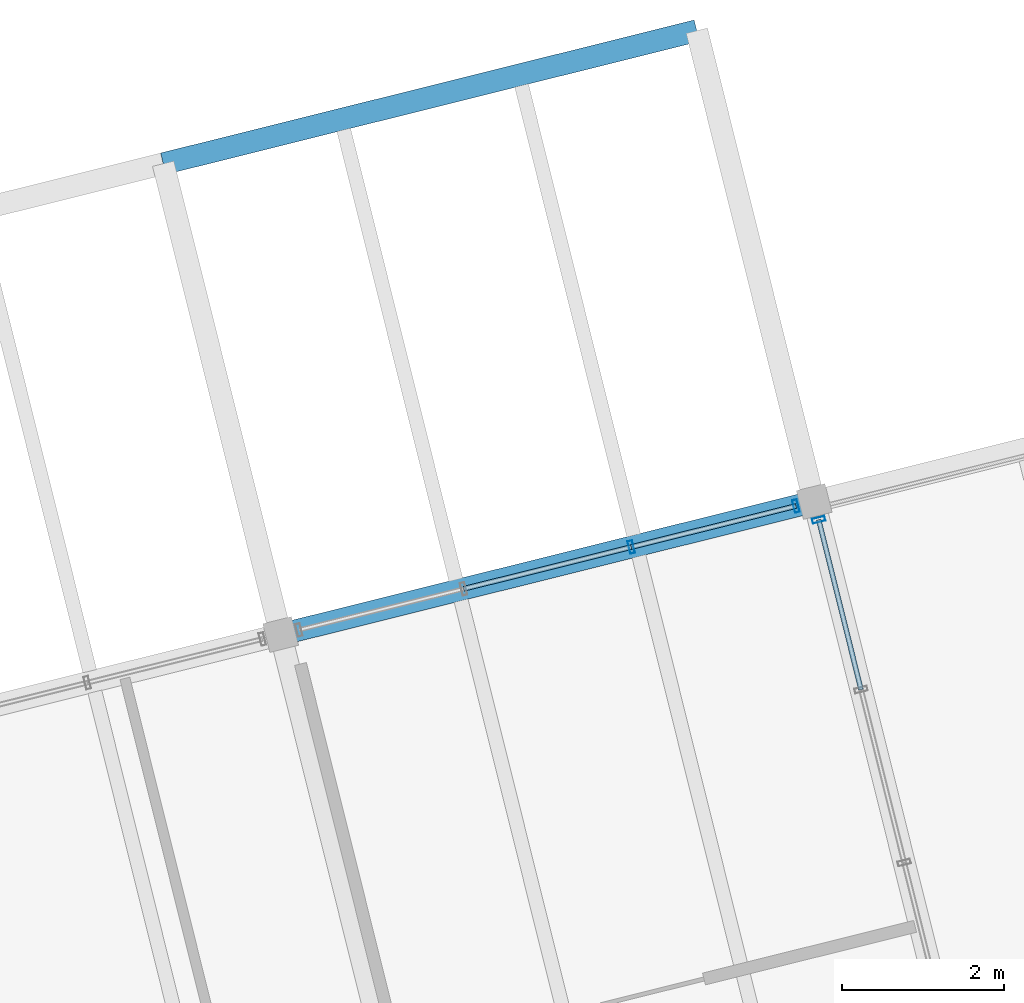
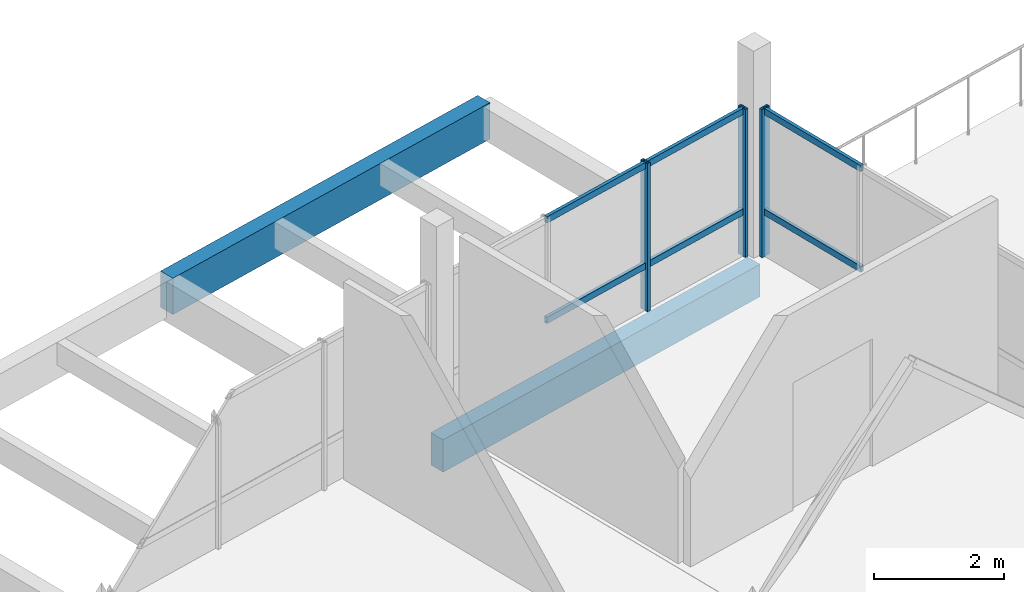
# One storey, part 22 of 28: 9 members, 2 beams, 2 elements without a shape of their own.
"""IFC4 building model written with IfcOpenShell, lengths in metres."""

from ifc_helpers import new_model, si_unit, direction, frame, origin, origin_2d, place, context, subcontext, project, spatial, rectangle, hollow_rectangle, extrude, material, layer, layer_set, material_profile, profile_set, type_object, element, aggregate, save


model = new_model("IFC4")

# Units and contexts
model_context = context("Model", 3, precision=1e-05, world=origin(), true_north=direction((0.0, 1.0)))
body_context = subcontext(model_context, "Body", "Model", "MODEL_VIEW")
ifc_project = project(units=[si_unit("LENGTHUNIT", "METRE"), si_unit("AREAUNIT", "SQUARE_METRE"), si_unit("VOLUMEUNIT", "CUBIC_METRE"), si_unit("PLANEANGLEUNIT", "RADIAN"), si_unit("MASSUNIT", "GRAM", prefix="KILO")], contexts=[model_context])

# Site, building, storey
site_placement = place(None, origin())
site = spatial("IfcSite", under=ifc_project, at=site_placement, CompositionType="ELEMENT")
building_placement = place(site_placement, origin())
building = spatial("IfcBuilding", under=site, at=building_placement, Name="Meriwether Solvik Hall", CompositionType="ELEMENT")
storey_placement = place(building_placement, frame((0.0, 0.0, 45.60009765625)))
storey = spatial("IfcBuildingStorey", under=building, at=storey_placement, Name="L11", CompositionType="ELEMENT", Elevation=45.60009765625)

# Beams
ifc_material_1 = material(Name="Glulam Douglas-Fir 24F-V8 GL28h", Category="wood")
ifc_material_profile_1 = material_profile(ifc_material_1, rectangle(XDim=0.27294921875, YDim=0.610107421875, at=origin_2d()), Name="GLB-273X610")
ifc_profile_set_1 = profile_set([ifc_material_profile_1], Name="Glulam Douglas-Fir 24F-V8 GL28h")
beam_type_1 = type_object("IfcBeamType", Name="BM-GL-273X610", PredefinedType="SPANDREL", material=ifc_profile_set_1)
beam_1_placement = place(storey_placement, frame((90.158935546875, 75.432373046875, -0.525146484375), z_axis=(0.970296478685, 0.241918877831, 0.0), x_axis=(-0.241918877831, 0.970296478685, 0.0)))
element("IfcBeam", 1, at=beam_1_placement, inside=storey, type_object=beam_type_1, Name="Tower Girder TE:T5-T6 (L11)", PredefinedType="SPANDREL", context=body_context, shape_type="SweptSolid", body=[
    extrude(rectangle(XDim=0.27294921875, YDim=0.610107421875, at=origin_2d()), origin(), (0.0, 0.0, 1.0), 6.7998046875),
])
ifc_material_2 = material(Name="Glulam Douglas-Fir 24F-V8 GL28h", Category="wood")
ifc_material_profile_2 = material_profile(ifc_material_2, rectangle(XDim=0.27294921875, YDim=0.68505859375, at=origin_2d()), Name="GLB-273X685")
ifc_profile_set_2 = profile_set([ifc_material_profile_2], Name="Glulam Douglas-Fir 24F-V8 GL28h")
beam_type_2 = type_object("IfcBeamType", Name="BM-GL-273X685", PredefinedType="BEAM", material=ifc_profile_set_2)
beam_2_placement = place(storey_placement, frame((88.707275390625, 81.254150390625, -0.54248046875), z_axis=(0.970298579828, 0.24191045034, 0.0), x_axis=(-0.24191045034, 0.970298579828, 0.0)))
element("IfcBeam", 2, at=beam_2_placement, inside=storey, type_object=beam_type_2, Name="Tower Girder TF:T5-T6 (L11)", PredefinedType="BEAM", context=body_context, shape_type="SweptSolid", body=[
    extrude(rectangle(XDim=0.27294921875, YDim=0.68505859375, at=origin_2d()), origin(), (0.0, 0.0, 1.0), 6.800048828125),
])

# Curtain wall, member
ifc_material_3 = material(Name="Thermally Broken Anodised Aluminium 6063-T6 and Low-E Glass", Category="aluminium")
ifc_layer_1 = layer(ifc_material_3, 0.179931640625)
ifc_layer_set_1 = layer_set([ifc_layer_1], Name="Thermally Broken Anodised Aluminium 6063-T6 and Low-E Glass")
curtain_wall_type_1 = type_object("IfcCurtainWallType", Name="CW-UNIT-F", PredefinedType="USERDEFINED", material=ifc_layer_set_1)
curtain_wall_1_placement = place(storey_placement, origin())
curtain_wall_1 = element("IfcCurtainWall", 3, at=curtain_wall_1_placement, inside=storey, type_object=curtain_wall_type_1, Name="Curtain Wall E1_B3 (L11)", ObjectType="UNITISED CURTAIN WALL", PredefinedType="USERDEFINED")
ifc_material_4 = material(Name="Anodised Aluminium 6063-T6", Category="aluminium")
ifc_material_profile_3 = material_profile(ifc_material_4, hollow_rectangle(XDim=0.06005859375, YDim=0.159912109375, WallThickness=0.00390625, at=origin_2d()), Name="CWM-60X160")
ifc_profile_set_3 = profile_set([ifc_material_profile_3], Name="Anodised Aluminium 6063-T6")
member_type_1 = type_object("IfcMemberType", Name="CW-MUL-60X160", PredefinedType="MULLION", material=ifc_profile_set_3)
member_1_placement = place(storey_placement, frame((96.81298828125, 76.851806640625, 0.0), z_axis=(0.0, 0.0, 1.0), x_axis=(0.241921946828, -0.970295713503, 0.0)))
member_1 = element("IfcMember", 4, at=member_1_placement, type_object=member_type_1, Name="Curtain Wall Mullion 1", PredefinedType="MULLION", context=body_context, shape_type="SweptSolid", body=[
    extrude(hollow_rectangle(XDim=0.06005859375, YDim=0.159912109375, WallThickness=0.00390625, at=origin_2d()), origin(), (0.0, 0.0, 1.0), 2.789794921875),
])

# Curtain wall, members
ifc_material_5 = material(Name="Thermally Broken Anodised Aluminium 6063-T6 and Low-E Glass", Category="aluminium")
ifc_layer_2 = layer(ifc_material_5, 0.179931640625)
ifc_layer_set_2 = layer_set([ifc_layer_2], Name="Thermally Broken Anodised Aluminium 6063-T6 and Low-E Glass")
curtain_wall_type_2 = type_object("IfcCurtainWallType", Name="CW-UNIT-A", PredefinedType="USERDEFINED", material=ifc_layer_set_2)
curtain_wall_2_placement = place(storey_placement, origin())
curtain_wall_2 = element("IfcCurtainWall", 5, at=curtain_wall_2_placement, inside=storey, type_object=curtain_wall_type_2, Name="Curtain Wall E2_B4 (L11)", ObjectType="UNITISED CURTAIN WALL", PredefinedType="USERDEFINED")
member_2_placement = place(storey_placement, frame((94.49462890625, 76.513427734375, 0.0), z_axis=(0.0, 0.0, 1.0), x_axis=(0.970295700549, 0.241921998784, 0.0)))
member_2 = element("IfcMember", 6, at=member_2_placement, type_object=member_type_1, Name="Curtain Wall Mullion 3", PredefinedType="MULLION", context=body_context, shape_type="SweptSolid", body=[
    extrude(hollow_rectangle(XDim=0.06005859375, YDim=0.159912109375, WallThickness=0.00390625, at=origin_2d()), origin(), (0.0, 0.0, 1.0), 2.789794921875),
])
member_3_placement = place(storey_placement, frame((96.53125, 77.021240234375, 0.0), z_axis=(0.0, 0.0, 1.0), x_axis=(0.970295700549, 0.241921998784, 0.0)))
member_3 = element("IfcMember", 7, at=member_3_placement, type_object=member_type_1, Name="Curtain Wall Mullion 4", PredefinedType="MULLION", context=body_context, shape_type="SweptSolid", body=[
    extrude(hollow_rectangle(XDim=0.06005859375, YDim=0.159912109375, WallThickness=0.00390625, at=origin_2d()), origin(), (0.0, 0.0, 1.0), 2.789794921875),
])

# Member
ifc_material_6 = material(Name="Anodised Aluminium 6063-T6", Category="aluminium")
ifc_material_profile_4 = material_profile(ifc_material_6, hollow_rectangle(XDim=0.06005859375, YDim=0.1201171875, WallThickness=0.00390625, at=origin_2d()), Name="CWT-60X120")
ifc_profile_set_4 = profile_set([ifc_material_profile_4], Name="Anodised Aluminium 6063-T6")
member_type_2 = type_object("IfcMemberType", Name="CW-TRN-60X120", PredefinedType="USERDEFINED", material=ifc_profile_set_4)
member_4_placement = place(storey_placement, frame((96.81298828125, 76.851806640625, 0.8369140625), z_axis=(0.241925491414, -0.970294829732, 0.0), x_axis=(0.970294829732, 0.241925491414, 0.0)))
member_4 = element("IfcMember", 8, at=member_4_placement, type_object=member_type_2, Name="Curtain Wall Transom 1-sill", ObjectType="TRANSOM", PredefinedType="USERDEFINED", context=body_context, shape_type="SweptSolid", body=[
    extrude(hollow_rectangle(XDim=0.06005859375, YDim=0.1201171875, WallThickness=0.00390625, at=origin_2d()), origin(), (0.0, 0.0, 1.0), 2.16552734375),
])

member_5_placement = place(storey_placement, frame((96.81298828125, 76.851806640625, 2.72998046875), z_axis=(0.241925491414, -0.970294829732, 0.0), x_axis=(0.970294829732, 0.241925491414, 0.0)))
member_5 = element("IfcMember", 9, at=member_5_placement, type_object=member_type_2, Name="Curtain Wall Transom 1-head", ObjectType="TRANSOM", PredefinedType="USERDEFINED", context=body_context, shape_type="SweptSolid", body=[
    extrude(hollow_rectangle(XDim=0.06005859375, YDim=0.1201171875, WallThickness=0.00390625, at=origin_2d()), origin(), (0.0, 0.0, 1.0), 2.16552734375),
])

aggregate(curtain_wall_1, [member_1, member_4, member_5])

member_6_placement = place(storey_placement, frame((92.421142578125, 75.996337890625, 0.8369140625), z_axis=(0.970283462184, 0.241971078877, 0.0), x_axis=(-0.241971078877, 0.970283462184, 0.0)))
member_6 = element("IfcMember", 10, at=member_6_placement, type_object=member_type_2, Name="Curtain Wall Transom 2-sill", ObjectType="TRANSOM", PredefinedType="USERDEFINED", context=body_context, shape_type="SweptSolid", body=[
    extrude(hollow_rectangle(XDim=0.06005859375, YDim=0.1201171875, WallThickness=0.00390625, at=origin_2d()), origin(), (0.0, 0.0, 1.0), 2.136962890625),
])

member_7_placement = place(storey_placement, frame((92.421142578125, 75.996337890625, 2.72998046875), z_axis=(0.970283462184, 0.241971078877, 0.0), x_axis=(-0.241971078877, 0.970283462184, 0.0)))
member_7 = element("IfcMember", 11, at=member_7_placement, type_object=member_type_2, Name="Curtain Wall Transom 2-head", ObjectType="TRANSOM", PredefinedType="USERDEFINED", context=body_context, shape_type="SweptSolid", body=[
    extrude(hollow_rectangle(XDim=0.06005859375, YDim=0.1201171875, WallThickness=0.00390625, at=origin_2d()), origin(), (0.0, 0.0, 1.0), 2.136962890625),
])

member_8_placement = place(storey_placement, frame((94.49462890625, 76.513427734375, 0.8369140625), z_axis=(0.970292837531, 0.241933481427, 0.0), x_axis=(-0.241933481427, 0.970292837531, 0.0)))
member_8 = element("IfcMember", 12, at=member_8_placement, type_object=member_type_2, Name="Curtain Wall Transom 3-sill", ObjectType="TRANSOM", PredefinedType="USERDEFINED", context=body_context, shape_type="SweptSolid", body=[
    extrude(hollow_rectangle(XDim=0.06005859375, YDim=0.1201171875, WallThickness=0.00390625, at=origin_2d()), origin(), (0.0, 0.0, 1.0), 2.098876953125),
])

member_9_placement = place(storey_placement, frame((94.49462890625, 76.513427734375, 2.72998046875), z_axis=(0.970292837531, 0.241933481427, 0.0), x_axis=(-0.241933481427, 0.970292837531, 0.0)))
member_9 = element("IfcMember", 13, at=member_9_placement, type_object=member_type_2, Name="Curtain Wall Transom 3-head", ObjectType="TRANSOM", PredefinedType="USERDEFINED", context=body_context, shape_type="SweptSolid", body=[
    extrude(hollow_rectangle(XDim=0.06005859375, YDim=0.1201171875, WallThickness=0.00390625, at=origin_2d()), origin(), (0.0, 0.0, 1.0), 2.098876953125),
])

aggregate(curtain_wall_2, [member_2, member_3, member_6, member_7, member_8, member_9])

save(model, "model.ifc")
